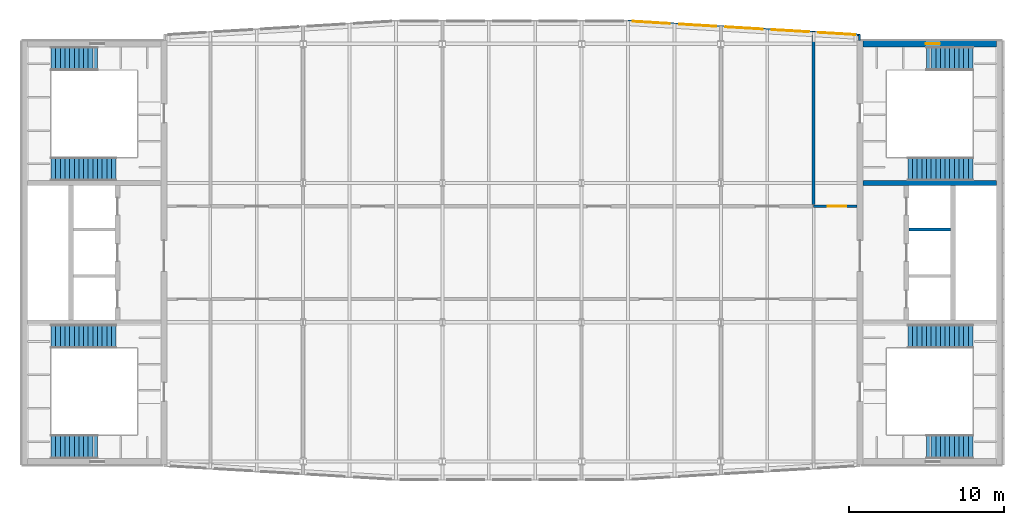
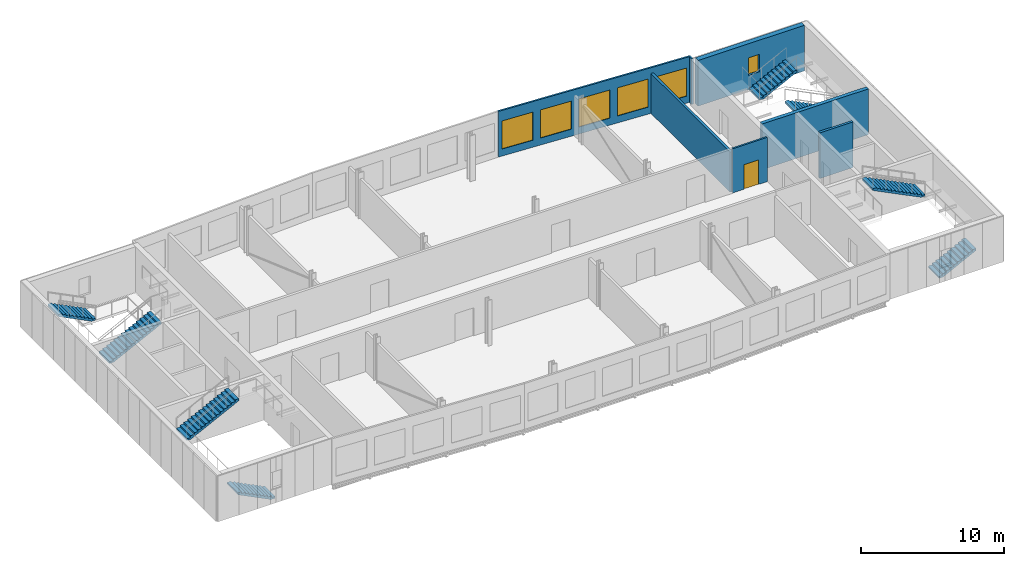
# One storey, part 6 of 9: 8 stair flights, 7 walls, 6 windows, 1 door, 7 openings, 4 elements without a shape of their own.
"""IFC4 building model written with IfcOpenShell, lengths in metres."""

from ifc_helpers import new_model, si_unit, direction, frame, frame_2d, origin, place, context, subcontext, project, spatial, polyline, rectangle, outline, extrude, material, layer, layer_set, type_object, element, fill, aggregate, save


model = new_model("IFC4")

# Units and contexts
model_context = context("Model", 3, precision=1e-05, world=origin(), true_north=direction((0.0, 1.0)))
body_context = subcontext(model_context, "Body", "Model", "MODEL_VIEW")
ifc_project = project(units=[si_unit("LENGTHUNIT", "METRE"), si_unit("AREAUNIT", "SQUARE_METRE"), si_unit("VOLUMEUNIT", "CUBIC_METRE"), si_unit("PLANEANGLEUNIT", "RADIAN"), si_unit("MASSUNIT", "GRAM", prefix="KILO")], contexts=[model_context])

# Site, building, storey
site_placement = place(None, origin())
site = spatial("IfcSite", under=ifc_project, at=site_placement, CompositionType="ELEMENT")
building_placement = place(site_placement, origin())
building = spatial("IfcBuilding", under=site, at=building_placement, Name="Azimuth Sports and Learning Centre", CompositionType="ELEMENT")
storey_placement = place(building_placement, frame((0.0, 0.0, 51.89990234375)))
storey = spatial("IfcBuildingStorey", under=building, at=storey_placement, Name="L11", CompositionType="ELEMENT", Elevation=51.89990234375)

# Wall
ifc_material_1 = material(Name="Dense masonry blockwork", Category="masonry")
ifc_layer_1 = layer(ifc_material_1, 0.199951171875)
ifc_layer_set_1 = layer_set([ifc_layer_1], Name="Dense masonry blockwork")
wall_type_1 = type_object("IfcWallType", Name="Blockwork wall 200 EI 120", PredefinedType="SOLIDWALL", material=ifc_layer_set_1)
wall_1_placement = place(storey_placement, frame((111.14990234375, 105.0, 0.0), z_axis=(0.0, 0.0, 1.0), x_axis=(1.0, 0.0, 0.0)))
element("IfcWall", 1, at=wall_1_placement, inside=storey, type_object=wall_type_1, Name="SD-E-2-L11", PredefinedType="SOLIDWALL", context=body_context, shape_type="SweptSolid", body=[
    extrude(rectangle(XDim=2.7001953125, YDim=0.199951171875, at=frame_2d((1.35009765625, 0.0))), origin(), (0.0, 0.0, 1.0), 3.900146484375),
])

# Wall, opening, door
ifc_material_2 = material(Name="Lightweight blockwork, rendered", Category="masonry")
ifc_layer_2 = layer(ifc_material_2, 0.14990234375)
ifc_layer_set_2 = layer_set([ifc_layer_2], Name="Lightweight blockwork, rendered")
wall_type_2 = type_object("IfcWallType", Name="Partition 150 EI 60", PredefinedType="PARTITIONING", material=ifc_layer_set_2)
wall_2_placement = place(storey_placement, frame((105.0, 106.5, 0.0), z_axis=(0.0, 0.0, 1.0), x_axis=(1.0, 0.0, 0.0)))
wall_2 = element("IfcWall", 2, at=wall_2_placement, inside=storey, type_object=wall_type_2, Name="Partition Stair Lobby E2 11.04 / Plant Corridor", PredefinedType="PARTITIONING", context=body_context, shape_type="SweptSolid", body=[
    extrude(rectangle(XDim=2.800048828125, YDim=0.14990234375, at=frame_2d((1.39990234375, 0.0))), origin(), (0.0, 0.0, 1.0), 3.77001953125),
])
opening_1_placement = place(wall_2_placement, frame((0.89990234375, 0.0, 0.0)))
opening_1 = element("IfcOpeningElement", 3, at=opening_1_placement, cuts=wall_2, Name="Opening D11-014", PredefinedType="OPENING", context=body_context, shape_type="SweptSolid", body=[
    extrude(rectangle(XDim=1.199951171875, YDim=2.10009765625, at=frame_2d((0.60009765625, 1.050048828125))), frame((0.0, 0.0859375, 0.0), z_axis=(0.0, -1.0, 0.0), x_axis=(1.0, 0.0, 0.0)), (0.0, 0.0, 1.0), 0.171875),
])
ifc_material_3 = material(Name="Painted steel door set", Category="steel")
door_type = type_object("IfcDoorType", Name="Fire door FD60 1200 x 2100", OperationType="NOTDEFINED", PredefinedType="DOOR", material=ifc_material_3)
door_placement = place(opening_1_placement, origin())
door = element("IfcDoor", 4, at=door_placement, inside=storey, type_object=door_type, Name="Door Stair Lobby E2 11.04 / Plant Corridor", OperationType="SINGLE_SWING_RIGHT", OverallHeight=2.10009765625, OverallWidth=1.199951171875, PredefinedType="DOOR", context=body_context, shape_type="SweptSolid", body=[
    extrude(rectangle(XDim=1.199951171875, YDim=2.10009765625, at=frame_2d((0.60009765625, 1.050048828125))), frame((0.0, 0.02490234375, 0.0), z_axis=(0.0, -1.0, 0.0), x_axis=(1.0, 0.0, 0.0)), (0.0, 0.0, 1.0), 0.050048828125),
])
fill(opening_1, door)

# Walls
ifc_material_4 = material(Name="Lightweight blockwork, rendered", Category="masonry")
ifc_layer_3 = layer(ifc_material_4, 0.199951171875)
ifc_layer_set_3 = layer_set([ifc_layer_3], Name="Lightweight blockwork, rendered")
wall_type_3 = type_object("IfcWallType", Name="Partition 200 EI 120", PredefinedType="PARTITIONING", material=ifc_layer_set_3)
wall_3_placement = place(storey_placement, frame((105.0, 106.60009765625, 0.0), z_axis=(0.0, 0.0, 1.0), x_axis=(0.0, 1.0, 0.0)))
element("IfcWall", 5, at=wall_3_placement, inside=storey, type_object=wall_type_3, Name="Partition Stair Lobby E2 11.04 / Battery and UPS Room 11.14", PredefinedType="PARTITIONING", context=body_context, shape_type="SweptSolid", body=[
    extrude(rectangle(XDim=11.179931640625, YDim=0.199951171875, at=frame_2d((5.58984375, 0.0))), origin(), (0.0, 0.0, 1.0), 3.41015625),
])
ifc_material_5 = material(Name="Aluminium rainscreen cladding, mineral wool insulation, steel stud backing, plasterboard", Category="steel")
ifc_layer_4 = layer(ifc_material_5, 0.139892578125)
ifc_layer_set_4 = layer_set([ifc_layer_4], Name="Aluminium rainscreen cladding, mineral wool insulation, steel stud backing, plasterboard")
wall_type_4 = type_object("IfcWallType", Name="Plant band wall 140", PredefinedType="SOLIDWALL", material=ifc_layer_set_4)
wall_4_placement = place(storey_placement, frame((107.969970703125, 117.199951171875, 0.0), z_axis=(0.0, 0.0, 1.0), x_axis=(0.0, 1.0, 0.0)))
element("IfcWall", 6, at=wall_4_placement, inside=storey, type_object=wall_type_4, Name="Plant band wall E-RET-N L11", PredefinedType="SOLIDWALL", context=body_context, shape_type="SweptSolid", body=[
    extrude(rectangle(XDim=0.400146484375, YDim=0.139892578125, at=frame_2d((0.2001953125, 0.0))), origin(), (0.0, 0.0, 1.0), 3.900146484375),
])

# Wall, openings, windows
wall_5_placement = place(storey_placement, frame((107.998291015625, 117.570068359375, 0.0), z_axis=(0.0, 0.0, 1.0), x_axis=(-0.99820523397, 0.059885815306, 0.0)))
wall_5 = element("IfcWall", 7, at=wall_5_placement, inside=storey, type_object=wall_type_4, Name="Plant band wall N-TOWER-1 L11", PredefinedType="SOLIDWALL", context=body_context, shape_type="SweptSolid", body=[
    extrude(rectangle(XDim=15.02685546875, YDim=0.139892578125, at=frame_2d((7.513427734375, 0.0))), origin(), (0.0, 0.0, 1.0), 3.900146484375),
])
opening_2_placement = place(wall_5_placement, frame((0.302734375, 0.0, 0.60009765625)))
opening_2 = element("IfcOpeningElement", 8, at=opening_2_placement, cuts=wall_5, Name="Opening W11-019", PredefinedType="OPENING", context=body_context, shape_type="SweptSolid", body=[
    extrude(rectangle(XDim=2.39990234375, YDim=2.39990234375, at=frame_2d((1.199951171875, 1.199951171875))), frame((0.0, 0.0810546875, 0.0), z_axis=(0.0, -1.0, 0.0), x_axis=(1.0, 0.0, 0.0)), (0.0, 0.0, 1.0), 0.161865234375),
])
opening_3_placement = place(wall_5_placement, frame((3.30810546875, 0.0, 0.60009765625)))
opening_3 = element("IfcOpeningElement", 9, at=opening_3_placement, cuts=wall_5, Name="Opening W11-020", PredefinedType="OPENING", context=body_context, shape_type="SweptSolid", body=[
    extrude(rectangle(XDim=2.39990234375, YDim=2.39990234375, at=frame_2d((1.199951171875, 1.199951171875))), frame((0.0, 0.0810546875, 0.0), z_axis=(0.0, -1.0, 0.0), x_axis=(1.0, 0.0, 0.0)), (0.0, 0.0, 1.0), 0.161865234375),
])
opening_4_placement = place(wall_5_placement, frame((6.3134765625, 0.0, 0.60009765625)))
opening_4 = element("IfcOpeningElement", 10, at=opening_4_placement, cuts=wall_5, Name="Opening W11-021", PredefinedType="OPENING", context=body_context, shape_type="SweptSolid", body=[
    extrude(rectangle(XDim=2.39990234375, YDim=2.39990234375, at=frame_2d((1.199951171875, 1.199951171875))), frame((0.0, 0.0810546875, 0.0), z_axis=(0.0, -1.0, 0.0), x_axis=(1.0, 0.0, 0.0)), (0.0, 0.0, 1.0), 0.161865234375),
])
opening_5_placement = place(wall_5_placement, frame((9.31884765625, 0.0, 0.60009765625)))
opening_5 = element("IfcOpeningElement", 11, at=opening_5_placement, cuts=wall_5, Name="Opening W11-022", PredefinedType="OPENING", context=body_context, shape_type="SweptSolid", body=[
    extrude(rectangle(XDim=2.39990234375, YDim=2.39990234375, at=frame_2d((1.199951171875, 1.199951171875))), frame((0.0, 0.0810546875, 0.0), z_axis=(0.0, -1.0, 0.0), x_axis=(1.0, 0.0, 0.0)), (0.0, 0.0, 1.0), 0.161865234375),
])
opening_6_placement = place(wall_5_placement, frame((12.32421875, 0.0, 0.60009765625)))
opening_6 = element("IfcOpeningElement", 12, at=opening_6_placement, cuts=wall_5, Name="Opening W11-023", PredefinedType="OPENING", context=body_context, shape_type="SweptSolid", body=[
    extrude(rectangle(XDim=2.39990234375, YDim=2.39990234375, at=frame_2d((1.199951171875, 1.199951171875))), frame((0.0, 0.0810546875, 0.0), z_axis=(0.0, -1.0, 0.0), x_axis=(1.0, 0.0, 0.0)), (0.0, 0.0, 1.0), 0.161865234375),
])
ifc_material_6 = material(Name="Aluminium and glass", Category="aluminium")
window_type_1 = type_object("IfcWindowType", Name="Plant band louvre window 2400x2400", PartitioningType="SINGLE_PANEL", PredefinedType="WINDOW", material=ifc_material_6)
window_1_placement = place(opening_2_placement, origin())
window_1 = element("IfcWindow", 13, at=window_1_placement, inside=storey, type_object=window_type_1, Name="Window W11-019", OverallHeight=2.39990234375, OverallWidth=2.39990234375, PartitioningType="SINGLE_PANEL", PredefinedType="WINDOW", context=body_context, shape_type="SweptSolid", body=[
    extrude(rectangle(XDim=2.39990234375, YDim=2.39990234375, at=frame_2d((1.199951171875, 1.199951171875))), frame((0.0, 0.030029296875, 0.0), z_axis=(0.0, -1.0, 0.0), x_axis=(1.0, 0.0, 0.0)), (0.0, 0.0, 1.0), 0.06005859375),
])
fill(opening_2, window_1)
window_2_placement = place(opening_3_placement, origin())
window_2 = element("IfcWindow", 14, at=window_2_placement, inside=storey, type_object=window_type_1, Name="Window W11-020", OverallHeight=2.39990234375, OverallWidth=2.39990234375, PartitioningType="SINGLE_PANEL", PredefinedType="WINDOW", context=body_context, shape_type="SweptSolid", body=[
    extrude(rectangle(XDim=2.39990234375, YDim=2.39990234375, at=frame_2d((1.199951171875, 1.199951171875))), frame((0.0, 0.030029296875, 0.0), z_axis=(0.0, -1.0, 0.0), x_axis=(1.0, 0.0, 0.0)), (0.0, 0.0, 1.0), 0.06005859375),
])
fill(opening_3, window_2)
window_3_placement = place(opening_4_placement, origin())
window_3 = element("IfcWindow", 15, at=window_3_placement, inside=storey, type_object=window_type_1, Name="Window W11-021", OverallHeight=2.39990234375, OverallWidth=2.39990234375, PartitioningType="SINGLE_PANEL", PredefinedType="WINDOW", context=body_context, shape_type="SweptSolid", body=[
    extrude(rectangle(XDim=2.39990234375, YDim=2.39990234375, at=frame_2d((1.199951171875, 1.199951171875))), frame((0.0, 0.030029296875, 0.0), z_axis=(0.0, -1.0, 0.0), x_axis=(1.0, 0.0, 0.0)), (0.0, 0.0, 1.0), 0.06005859375),
])
fill(opening_4, window_3)
window_4_placement = place(opening_5_placement, origin())
window_4 = element("IfcWindow", 16, at=window_4_placement, inside=storey, type_object=window_type_1, Name="Window W11-022", OverallHeight=2.39990234375, OverallWidth=2.39990234375, PartitioningType="SINGLE_PANEL", PredefinedType="WINDOW", context=body_context, shape_type="SweptSolid", body=[
    extrude(rectangle(XDim=2.39990234375, YDim=2.39990234375, at=frame_2d((1.199951171875, 1.199951171875))), frame((0.0, 0.030029296875, 0.0), z_axis=(0.0, -1.0, 0.0), x_axis=(1.0, 0.0, 0.0)), (0.0, 0.0, 1.0), 0.06005859375),
])
fill(opening_5, window_4)
window_5_placement = place(opening_6_placement, origin())
window_5 = element("IfcWindow", 17, at=window_5_placement, inside=storey, type_object=window_type_1, Name="Window W11-023", OverallHeight=2.39990234375, OverallWidth=2.39990234375, PartitioningType="SINGLE_PANEL", PredefinedType="WINDOW", context=body_context, shape_type="SweptSolid", body=[
    extrude(rectangle(XDim=2.39990234375, YDim=2.39990234375, at=frame_2d((1.199951171875, 1.199951171875))), frame((0.0, 0.030029296875, 0.0), z_axis=(0.0, -1.0, 0.0), x_axis=(1.0, 0.0, 0.0)), (0.0, 0.0, 1.0), 0.06005859375),
])
fill(opening_6, window_5)

# Wall
ifc_material_7 = material(Name="Concrete C40/50", Category="concrete")
ifc_layer_5 = layer(ifc_material_7, 0.300048828125)
ifc_layer_set_5 = layer_set([ifc_layer_5], Name="Concrete C40/50")
wall_type_5 = type_object("IfcWallType", Name="RC core wall 300", PredefinedType="SHEAR", material=ifc_layer_set_5)
wall_6_placement = place(storey_placement, frame((108.199951171875, 108.0, 0.0), z_axis=(0.0, 0.0, 1.0), x_axis=(1.0, 0.0, 0.0)))
element("IfcWall", 18, at=wall_6_placement, inside=storey, type_object=wall_type_5, Name="Core wall E D2 L11", PredefinedType="SHEAR", context=body_context, shape_type="SweptSolid", body=[
    extrude(rectangle(XDim=8.60009765625, YDim=0.300048828125, at=frame_2d((4.300048828125, 0.0))), origin(), (0.0, 0.0, 1.0), 3.900146484375),
])

# Wall, opening, window
ifc_material_8 = material(Name="Concrete C40/50", Category="concrete")
ifc_layer_6 = layer(ifc_material_8, 0.39990234375)
ifc_layer_set_6 = layer_set([ifc_layer_6], Name="Concrete C40/50")
wall_type_6 = type_object("IfcWallType", Name="RC external core wall 400", PredefinedType="SHEAR", material=ifc_layer_set_6)
wall_7_placement = place(storey_placement, frame((108.199951171875, 117.0, 0.0), z_axis=(0.0, 0.0, 1.0), x_axis=(1.0, 0.0, 0.0)))
wall_7 = element("IfcWall", 19, at=wall_7_placement, inside=storey, type_object=wall_type_6, Name="Core wall E N L11", PredefinedType="SHEAR", context=body_context, shape_type="SweptSolid", body=[
    extrude(rectangle(XDim=8.60009765625, YDim=0.39990234375, at=frame_2d((4.300048828125, 0.0))), origin(), (0.0, 0.0, 1.0), 3.900146484375),
])
opening_7_placement = place(wall_7_placement, frame((4.050048828125, 0.0, 1.199951171875)))
opening_7 = element("IfcOpeningElement", 20, at=opening_7_placement, cuts=wall_7, Name="Opening W11-018", PredefinedType="OPENING", context=body_context, shape_type="SweptSolid", body=[
    extrude(rectangle(XDim=0.89990234375, YDim=1.5, at=frame_2d((0.449951171875, 0.75))), frame((0.0, 0.2109375, 0.0), z_axis=(0.0, -1.0, 0.0), x_axis=(1.0, 0.0, 0.0)), (0.0, 0.0, 1.0), 0.421875),
])
ifc_material_9 = material(Name="Aluminium and glass", Category="aluminium")
window_type_2 = type_object("IfcWindowType", Name="Stair window tower core 900x1500", PartitioningType="SINGLE_PANEL", PredefinedType="WINDOW", material=ifc_material_9)
window_6_placement = place(opening_7_placement, origin())
window_6 = element("IfcWindow", 21, at=window_6_placement, inside=storey, type_object=window_type_2, Name="Window W11-018", OverallHeight=1.5, OverallWidth=0.89990234375, PartitioningType="SINGLE_PANEL", PredefinedType="WINDOW", context=body_context, shape_type="SweptSolid", body=[
    extrude(rectangle(XDim=0.89990234375, YDim=1.5, at=frame_2d((0.449951171875, 0.75))), frame((0.0, 0.030029296875, 0.0), z_axis=(0.0, -1.0, 0.0), x_axis=(1.0, 0.0, 0.0)), (0.0, 0.0, 1.0), 0.06005859375),
])
fill(opening_7, window_6)

# Stair, stair flight
ifc_material_10 = material(Name="Concrete C32/40", Category="concrete")
stair_type = type_object("IfcStairType", Name="Square-well stair core 3900 storey", PredefinedType="THREE_QUARTER_TURN_STAIR", material=ifc_material_10)
stair_1_placement = place(storey_placement, origin())
stair_1 = element("IfcStair", 22, at=stair_1_placement, inside=storey, type_object=stair_type, Name="Stair W1 L11-L12", PredefinedType="THREE_QUARTER_TURN_STAIR")
ifc_material_11 = material(Name="Concrete C32/40", Category="concrete")
stair_flight_type_1 = type_object("IfcStairFlightType", Name="Stair flight 11 risers", PredefinedType="STRAIGHT", material=ifc_material_11)
stair_flight_1_placement = place(storey_placement, frame((58.7099609375, 90.9599609375, 0.0), z_axis=(0.0, 0.0, 1.0), x_axis=(-1.0, 0.0, 0.0)))
stair_flight_1 = element("IfcStairFlight", 23, at=stair_flight_1_placement, type_object=stair_flight_type_1, Name="Stair W1 L11 flight 1", NumberOfRisers=11, NumberOfTreads=10, PredefinedType="STRAIGHT", RiserHeight=0.15, TreadLength=0.3, context=body_context, shape_type="SweptSolid", body=[
    extrude(outline(polyline([(0.0, 0.0), (0.0, 0.14990234375), (0.300048828125, 0.14990234375), (0.300048828125, 0.300048828125), (0.60009765625, 0.300048828125), (0.60009765625, 0.449951171875), (0.89990234375, 0.449951171875), (0.89990234375, 0.60009765625), (1.199951171875, 0.60009765625), (1.199951171875, 0.75), (1.5, 0.75), (1.5, 0.89990234375), (1.800048828125, 0.89990234375), (1.800048828125, 1.050048828125), (2.10009765625, 1.050048828125), (2.10009765625, 1.199951171875), (2.39990234375, 1.199951171875), (2.39990234375, 1.35009765625), (2.699951171875, 1.35009765625), (2.699951171875, 1.5), (3.0, 1.5), (3.0, 1.64990234375), (3.0, 1.33251953125), (0.335205078125, 0.0), (0.0, 0.0)])), frame((0.0, 0.75, 0.0), z_axis=(0.0, -1.0, 0.0), x_axis=(1.0, 0.0, 0.0)), (0.0, 0.0, 1.0), 1.5),
])

stair_2_placement = place(storey_placement, origin())
stair_2 = element("IfcStair", 24, at=stair_2_placement, inside=storey, type_object=stair_type, Name="Stair W2 L11-L12", PredefinedType="THREE_QUARTER_TURN_STAIR")
stair_flight_2_placement = place(storey_placement, frame((58.7099609375, 116.0400390625, 0.0), z_axis=(0.0, 0.0, 1.0), x_axis=(-1.0, 0.0, 0.0)))
stair_flight_2 = element("IfcStairFlight", 25, at=stair_flight_2_placement, type_object=stair_flight_type_1, Name="Stair W2 L11 flight 1", NumberOfRisers=11, NumberOfTreads=10, PredefinedType="STRAIGHT", RiserHeight=0.15, TreadLength=0.3, context=body_context, shape_type="SweptSolid", body=[
    extrude(outline(polyline([(0.0, 0.0), (0.0, 0.14990234375), (0.300048828125, 0.14990234375), (0.300048828125, 0.300048828125), (0.60009765625, 0.300048828125), (0.60009765625, 0.449951171875), (0.89990234375, 0.449951171875), (0.89990234375, 0.60009765625), (1.199951171875, 0.60009765625), (1.199951171875, 0.75), (1.5, 0.75), (1.5, 0.89990234375), (1.800048828125, 0.89990234375), (1.800048828125, 1.050048828125), (2.10009765625, 1.050048828125), (2.10009765625, 1.199951171875), (2.39990234375, 1.199951171875), (2.39990234375, 1.35009765625), (2.699951171875, 1.35009765625), (2.699951171875, 1.5), (3.0, 1.5), (3.0, 1.64990234375), (3.0, 1.33251953125), (0.335205078125, 0.0), (0.0, 0.0)])), frame((0.0, 0.75, 0.0), z_axis=(0.0, -1.0, 0.0), x_axis=(1.0, 0.0, 0.0)), (0.0, 0.0, 1.0), 1.5),
])

stair_3_placement = place(storey_placement, origin())
stair_3 = element("IfcStair", 26, at=stair_3_placement, inside=storey, type_object=stair_type, Name="Stair E1 L11-L12", PredefinedType="THREE_QUARTER_TURN_STAIR")
stair_flight_3_placement = place(storey_placement, frame((112.2900390625, 90.9599609375, 0.0), z_axis=(0.0, 0.0, 1.0), x_axis=(1.0, 0.0, 0.0)))
stair_flight_3 = element("IfcStairFlight", 27, at=stair_flight_3_placement, type_object=stair_flight_type_1, Name="Stair E1 L11 flight 1", NumberOfRisers=11, NumberOfTreads=10, PredefinedType="STRAIGHT", RiserHeight=0.15, TreadLength=0.3, context=body_context, shape_type="SweptSolid", body=[
    extrude(outline(polyline([(0.0, 0.0), (0.0, 0.14990234375), (0.300048828125, 0.14990234375), (0.300048828125, 0.300048828125), (0.60009765625, 0.300048828125), (0.60009765625, 0.449951171875), (0.89990234375, 0.449951171875), (0.89990234375, 0.60009765625), (1.199951171875, 0.60009765625), (1.199951171875, 0.75), (1.5, 0.75), (1.5, 0.89990234375), (1.800048828125, 0.89990234375), (1.800048828125, 1.050048828125), (2.10009765625, 1.050048828125), (2.10009765625, 1.199951171875), (2.39990234375, 1.199951171875), (2.39990234375, 1.35009765625), (2.699951171875, 1.35009765625), (2.699951171875, 1.5), (3.0, 1.5), (3.0, 1.64990234375), (3.0, 1.33251953125), (0.335205078125, 0.0), (0.0, 0.0)])), frame((0.0, 0.75, 0.0), z_axis=(0.0, -1.0, 0.0), x_axis=(1.0, 0.0, 0.0)), (0.0, 0.0, 1.0), 1.5),
])

stair_4_placement = place(storey_placement, origin())
stair_4 = element("IfcStair", 28, at=stair_4_placement, inside=storey, type_object=stair_type, Name="Stair E2 L11-L12", PredefinedType="THREE_QUARTER_TURN_STAIR")
stair_flight_4_placement = place(storey_placement, frame((112.2900390625, 116.0400390625, 0.0), z_axis=(0.0, 0.0, 1.0), x_axis=(1.0, 0.0, 0.0)))
stair_flight_4 = element("IfcStairFlight", 29, at=stair_flight_4_placement, type_object=stair_flight_type_1, Name="Stair E2 L11 flight 1", NumberOfRisers=11, NumberOfTreads=10, PredefinedType="STRAIGHT", RiserHeight=0.15, TreadLength=0.3, context=body_context, shape_type="SweptSolid", body=[
    extrude(outline(polyline([(0.0, 0.0), (0.0, 0.14990234375), (0.300048828125, 0.14990234375), (0.300048828125, 0.300048828125), (0.60009765625, 0.300048828125), (0.60009765625, 0.449951171875), (0.89990234375, 0.449951171875), (0.89990234375, 0.60009765625), (1.199951171875, 0.60009765625), (1.199951171875, 0.75), (1.5, 0.75), (1.5, 0.89990234375), (1.800048828125, 0.89990234375), (1.800048828125, 1.050048828125), (2.10009765625, 1.050048828125), (2.10009765625, 1.199951171875), (2.39990234375, 1.199951171875), (2.39990234375, 1.35009765625), (2.699951171875, 1.35009765625), (2.699951171875, 1.5), (3.0, 1.5), (3.0, 1.64990234375), (3.0, 1.33251953125), (0.335205078125, 0.0), (0.0, 0.0)])), frame((0.0, 0.75, 0.0), z_axis=(0.0, -1.0, 0.0), x_axis=(1.0, 0.0, 0.0)), (0.0, 0.0, 1.0), 1.5),
])

# Stair flight
ifc_material_12 = material(Name="Concrete C32/40", Category="concrete")
stair_flight_type_2 = type_object("IfcStairFlightType", Name="Stair flight 15 risers", PredefinedType="STRAIGHT", material=ifc_material_12)
stair_flight_5_placement = place(storey_placement, frame((55.7099609375, 98.090087890625, 1.650146484375), z_axis=(0.0, 0.0, 1.0), x_axis=(1.0, 0.0, 0.0)))
stair_flight_5 = element("IfcStairFlight", 30, at=stair_flight_5_placement, type_object=stair_flight_type_2, Name="Stair W1 L11 flight 2", NumberOfRisers=15, NumberOfTreads=14, PredefinedType="STRAIGHT", RiserHeight=0.15, TreadLength=0.3, context=body_context, shape_type="SweptSolid", body=[
    extrude(outline(polyline([(0.0, 0.0), (0.0, 0.14990234375), (0.300048828125, 0.14990234375), (0.300048828125, 0.300048828125), (0.60009765625, 0.300048828125), (0.60009765625, 0.449951171875), (0.89990234375, 0.449951171875), (0.89990234375, 0.60009765625), (1.199951171875, 0.60009765625), (1.199951171875, 0.75), (1.5, 0.75), (1.5, 0.89990234375), (1.800048828125, 0.89990234375), (1.800048828125, 1.050048828125), (2.10009765625, 1.050048828125), (2.10009765625, 1.199951171875), (2.39990234375, 1.199951171875), (2.39990234375, 1.35009765625), (2.699951171875, 1.35009765625), (2.699951171875, 1.5), (3.0, 1.5), (3.0, 1.64990234375), (3.300048828125, 1.64990234375), (3.300048828125, 1.800048828125), (3.60009765625, 1.800048828125), (3.60009765625, 1.949951171875), (3.89990234375, 1.949951171875), (3.89990234375, 2.10009765625), (4.199951171875, 2.10009765625), (4.199951171875, 2.25), (4.199951171875, 1.932373046875), (0.335205078125, 0.0), (0.0, 0.0)])), frame((0.0, 0.75, 0.0), z_axis=(0.0, -1.0, 0.0), x_axis=(1.0, 0.0, 0.0)), (0.0, 0.0, 1.0), 1.5),
])

aggregate(stair_1, [stair_flight_1, stair_flight_5])

stair_flight_6_placement = place(storey_placement, frame((55.7099609375, 108.909912109375, 1.650146484375), z_axis=(0.0, 0.0, 1.0), x_axis=(1.0, 0.0, 0.0)))
stair_flight_6 = element("IfcStairFlight", 31, at=stair_flight_6_placement, type_object=stair_flight_type_2, Name="Stair W2 L11 flight 2", NumberOfRisers=15, NumberOfTreads=14, PredefinedType="STRAIGHT", RiserHeight=0.15, TreadLength=0.3, context=body_context, shape_type="SweptSolid", body=[
    extrude(outline(polyline([(0.0, 0.0), (0.0, 0.14990234375), (0.300048828125, 0.14990234375), (0.300048828125, 0.300048828125), (0.60009765625, 0.300048828125), (0.60009765625, 0.449951171875), (0.89990234375, 0.449951171875), (0.89990234375, 0.60009765625), (1.199951171875, 0.60009765625), (1.199951171875, 0.75), (1.5, 0.75), (1.5, 0.89990234375), (1.800048828125, 0.89990234375), (1.800048828125, 1.050048828125), (2.10009765625, 1.050048828125), (2.10009765625, 1.199951171875), (2.39990234375, 1.199951171875), (2.39990234375, 1.35009765625), (2.699951171875, 1.35009765625), (2.699951171875, 1.5), (3.0, 1.5), (3.0, 1.64990234375), (3.300048828125, 1.64990234375), (3.300048828125, 1.800048828125), (3.60009765625, 1.800048828125), (3.60009765625, 1.949951171875), (3.89990234375, 1.949951171875), (3.89990234375, 2.10009765625), (4.199951171875, 2.10009765625), (4.199951171875, 2.25), (4.199951171875, 1.932373046875), (0.335205078125, 0.0), (0.0, 0.0)])), frame((0.0, 0.75, 0.0), z_axis=(0.0, -1.0, 0.0), x_axis=(1.0, 0.0, 0.0)), (0.0, 0.0, 1.0), 1.5),
])

aggregate(stair_2, [stair_flight_2, stair_flight_6])

stair_flight_7_placement = place(storey_placement, frame((115.2900390625, 98.090087890625, 1.650146484375), z_axis=(0.0, 0.0, 1.0), x_axis=(-1.0, 0.0, 0.0)))
stair_flight_7 = element("IfcStairFlight", 32, at=stair_flight_7_placement, type_object=stair_flight_type_2, Name="Stair E1 L11 flight 2", NumberOfRisers=15, NumberOfTreads=14, PredefinedType="STRAIGHT", RiserHeight=0.15, TreadLength=0.3, context=body_context, shape_type="SweptSolid", body=[
    extrude(outline(polyline([(0.0, 0.0), (0.0, 0.14990234375), (0.300048828125, 0.14990234375), (0.300048828125, 0.300048828125), (0.60009765625, 0.300048828125), (0.60009765625, 0.449951171875), (0.89990234375, 0.449951171875), (0.89990234375, 0.60009765625), (1.199951171875, 0.60009765625), (1.199951171875, 0.75), (1.5, 0.75), (1.5, 0.89990234375), (1.800048828125, 0.89990234375), (1.800048828125, 1.050048828125), (2.10009765625, 1.050048828125), (2.10009765625, 1.199951171875), (2.39990234375, 1.199951171875), (2.39990234375, 1.35009765625), (2.699951171875, 1.35009765625), (2.699951171875, 1.5), (3.0, 1.5), (3.0, 1.64990234375), (3.300048828125, 1.64990234375), (3.300048828125, 1.800048828125), (3.60009765625, 1.800048828125), (3.60009765625, 1.949951171875), (3.89990234375, 1.949951171875), (3.89990234375, 2.10009765625), (4.199951171875, 2.10009765625), (4.199951171875, 2.25), (4.199951171875, 1.932373046875), (0.335205078125, 0.0), (0.0, 0.0)])), frame((0.0, 0.75, 0.0), z_axis=(0.0, -1.0, 0.0), x_axis=(1.0, 0.0, 0.0)), (0.0, 0.0, 1.0), 1.5),
])

aggregate(stair_3, [stair_flight_3, stair_flight_7])

stair_flight_8_placement = place(storey_placement, frame((115.2900390625, 108.909912109375, 1.650146484375), z_axis=(0.0, 0.0, 1.0), x_axis=(-1.0, 0.0, 0.0)))
stair_flight_8 = element("IfcStairFlight", 33, at=stair_flight_8_placement, type_object=stair_flight_type_2, Name="Stair E2 L11 flight 2", NumberOfRisers=15, NumberOfTreads=14, PredefinedType="STRAIGHT", RiserHeight=0.15, TreadLength=0.3, context=body_context, shape_type="SweptSolid", body=[
    extrude(outline(polyline([(0.0, 0.0), (0.0, 0.14990234375), (0.300048828125, 0.14990234375), (0.300048828125, 0.300048828125), (0.60009765625, 0.300048828125), (0.60009765625, 0.449951171875), (0.89990234375, 0.449951171875), (0.89990234375, 0.60009765625), (1.199951171875, 0.60009765625), (1.199951171875, 0.75), (1.5, 0.75), (1.5, 0.89990234375), (1.800048828125, 0.89990234375), (1.800048828125, 1.050048828125), (2.10009765625, 1.050048828125), (2.10009765625, 1.199951171875), (2.39990234375, 1.199951171875), (2.39990234375, 1.35009765625), (2.699951171875, 1.35009765625), (2.699951171875, 1.5), (3.0, 1.5), (3.0, 1.64990234375), (3.300048828125, 1.64990234375), (3.300048828125, 1.800048828125), (3.60009765625, 1.800048828125), (3.60009765625, 1.949951171875), (3.89990234375, 1.949951171875), (3.89990234375, 2.10009765625), (4.199951171875, 2.10009765625), (4.199951171875, 2.25), (4.199951171875, 1.932373046875), (0.335205078125, 0.0), (0.0, 0.0)])), frame((0.0, 0.75, 0.0), z_axis=(0.0, -1.0, 0.0), x_axis=(1.0, 0.0, 0.0)), (0.0, 0.0, 1.0), 1.5),
])

aggregate(stair_4, [stair_flight_4, stair_flight_8])

save(model, "model.ifc")
